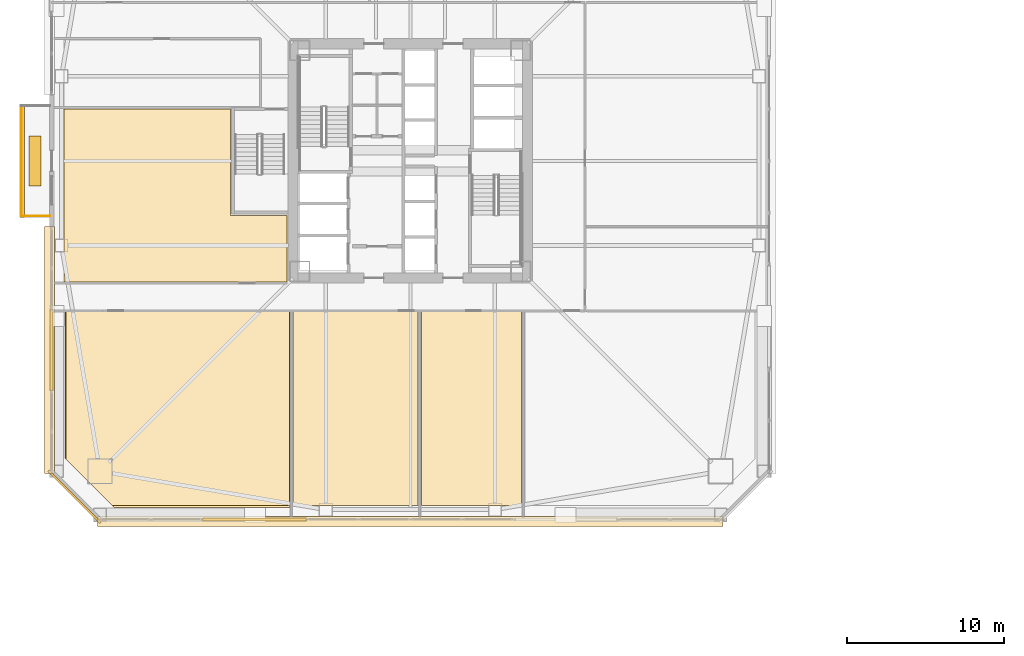
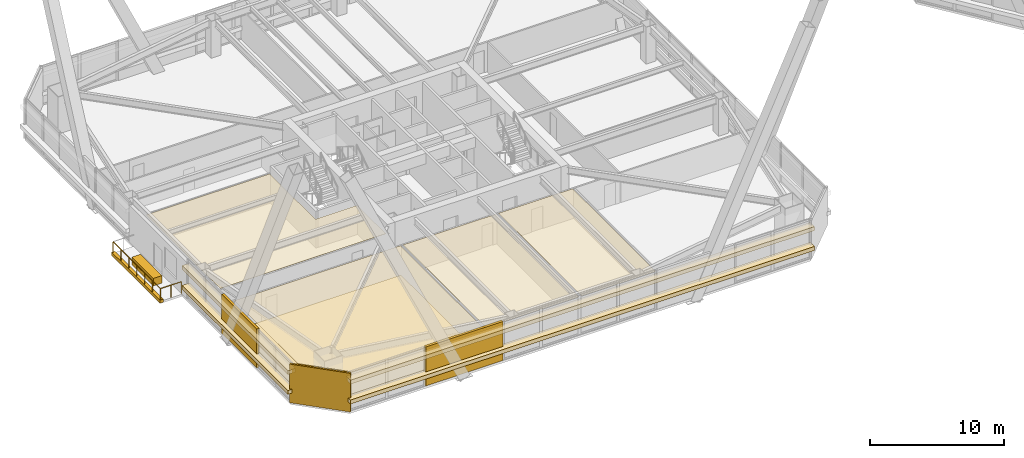
# One storey, part 67 of 75: 14 coverings, 2 railings.
"""IFC4 building model written with IfcOpenShell, lengths in metres."""

from ifc_helpers import new_model, si_unit, direction, frame, origin, origin_2d, place, context, subcontext, project, spatial, polyline, rectangle, outline, extrude, material, layer, layer_set, type_object, element, save


model = new_model("IFC4")

# Units and contexts
model_context = context("Model", 3, precision=1e-05, world=origin(), true_north=direction((0.0, 1.0)))
body_context = subcontext(model_context, "Body", "Model", "MODEL_VIEW")
ifc_project = project(units=[si_unit("LENGTHUNIT", "METRE"), si_unit("AREAUNIT", "SQUARE_METRE"), si_unit("VOLUMEUNIT", "CUBIC_METRE"), si_unit("PLANEANGLEUNIT", "RADIAN"), si_unit("MASSUNIT", "GRAM", prefix="KILO")], contexts=[model_context])

# Site, building, storey
site_placement = place(None, origin())
site = spatial("IfcSite", under=ifc_project, at=site_placement, CompositionType="ELEMENT")
building_placement = place(site_placement, origin())
building = spatial("IfcBuilding", under=site, at=building_placement, Name="Tashvorn Skyway Center", CompositionType="ELEMENT")
storey_placement = place(building_placement, frame((0.0, 0.0, 45.89990234375)))
storey = spatial("IfcBuildingStorey", under=building, at=storey_placement, Name="L11", CompositionType="ELEMENT", Elevation=45.89990234375)

# Coverings
ifc_material_1 = material(Name="Precast concrete C40/50", Category="concrete")
ifc_layer_1 = layer(ifc_material_1, 0.199951171875)
ifc_layer_set_1 = layer_set([ifc_layer_1], Name="Precast concrete C40/50")
covering_type_1 = type_object("IfcCoveringType", Name="COV-BRACE-CLAD", PredefinedType="CLADDING", material=ifc_layer_set_1)
covering_1_placement = place(storey_placement, frame((32.06005859375, 9.1201171875, 0.0), z_axis=(0.0, 0.0, 1.0), x_axis=(-1.0, 0.0, 0.0)))
element("IfcCovering", 1, at=covering_1_placement, inside=storey, type_object=covering_type_1, Name="Tower 1 L11 South Unitised Curtain Wall Mega-Brace Cladding Band 2", PredefinedType="CLADDING", context=body_context, shape_type="SweptSolid", body=[
    extrude(rectangle(XDim=6.626708984375, YDim=0.199951171875, at=origin_2d()), origin(), (0.0, 0.0, 1.0), 3.550048828125),
])
covering_2_placement = place(storey_placement, frame((19.1201171875, 19.93505859375, 0.0), z_axis=(0.0, 0.0, 1.0), x_axis=(0.0, 1.0, 0.0)))
element("IfcCovering", 2, at=covering_2_placement, inside=storey, type_object=covering_type_1, Name="Tower 1 L11 West Curtain Wall L Mega-Brace Cladding Band 1", PredefinedType="CLADDING", context=body_context, shape_type="SweptSolid", body=[
    extrude(rectangle(XDim=5.2099609375, YDim=0.199951171875, at=origin_2d()), origin(), (0.0, 0.0, 1.0), 3.550048828125),
])
ifc_material_2 = material(Name="Mineral-fibre acoustic ceiling tile on suspended grid")
ifc_layer_2 = layer(ifc_material_2, 0.02001953125)
ifc_layer_set_2 = layer_set([ifc_layer_2], Name="Mineral-fibre acoustic ceiling tile on suspended grid")
covering_type_2 = type_object("IfcCoveringType", Name="COV-CEIL-20", PredefinedType="CEILING", material=ifc_layer_set_2)
covering_3_placement = place(storey_placement, frame((0.0, 0.0, 2.68310546875)))
element("IfcCovering", 3, at=covering_3_placement, inside=storey, type_object=covering_type_2, Name="Tower 1 L11 Open Plan Office Acoustic Ceiling", PredefinedType="CEILING", context=body_context, shape_type="SweptSolid", body=[
    extrude(outline(polyline([(20.02001953125, 22.389892578125), (34.280029296875, 22.389892578125), (34.280029296875, 10.02001953125), (22.97998046875, 10.02001953125), (20.02001953125, 12.97998046875), (20.02001953125, 22.389892578125)])), origin(), (0.0, 0.0, 1.0), 0.02001953125),
])
covering_4_placement = place(storey_placement, frame((0.0, 0.0, 2.68310546875)))
element("IfcCovering", 4, at=covering_4_placement, inside=storey, type_object=covering_type_2, Name="Tower 1 L11 Boardroom Acoustic Ceiling", PredefinedType="CEILING", context=body_context, shape_type="SweptSolid", body=[
    extrude(outline(polyline([(34.52001953125, 22.389892578125), (42.47998046875, 22.389892578125), (42.47998046875, 10.02001953125), (34.52001953125, 10.02001953125), (34.52001953125, 22.389892578125)])), origin(), (0.0, 0.0, 1.0), 0.02001953125),
])
covering_5_placement = place(storey_placement, frame((0.0, 0.0, 2.68310546875)))
element("IfcCovering", 5, at=covering_5_placement, inside=storey, type_object=covering_type_2, Name="Tower 1 L11 Boardroom Acoustic Ceiling", PredefinedType="CEILING", context=body_context, shape_type="SweptSolid", body=[
    extrude(outline(polyline([(42.719970703125, 22.389892578125), (49.080078125, 22.389892578125), (49.080078125, 10.02001953125), (42.719970703125, 10.02001953125), (42.719970703125, 22.389892578125)])), origin(), (0.0, 0.0, 1.0), 0.02001953125),
])
covering_6_placement = place(storey_placement, frame((0.0, 0.0, 2.68310546875)))
element("IfcCovering", 6, at=covering_6_placement, inside=storey, type_object=covering_type_2, Name="Tower 1 L11 Public Restroom Acoustic Ceiling", PredefinedType="CEILING", context=body_context, shape_type="SweptSolid", body=[
    extrude(outline(polyline([(34.1201171875, 24.280029296875), (19.89990234375, 24.280029296875), (19.89990234375, 28.52001953125), (19.89990234375, 35.320068359375), (30.52001953125, 35.320068359375), (30.52001953125, 28.52001953125), (34.1201171875, 28.52001953125), (34.1201171875, 24.280029296875)])), origin(), (0.0, 0.0, 1.0), 0.02001953125),
])
ifc_material_3 = material(Name="Polished Mojave desert-aggregate terrazzo and cover plate")
ifc_layer_3 = layer(ifc_material_3, 0.0400390625)
ifc_layer_set_3 = layer_set([ifc_layer_3], Name="Polished Mojave desert-aggregate terrazzo and cover plate")
covering_type_3 = type_object("IfcCoveringType", Name="COV-FLR-40", PredefinedType="FLOORING", material=ifc_layer_set_3)
covering_7_placement = place(storey_placement, origin())
element("IfcCovering", 7, at=covering_7_placement, inside=storey, type_object=covering_type_3, Name="Tower 1 L11 Open Plan Office Finish Flooring", PredefinedType="FLOORING", context=body_context, shape_type="SweptSolid", body=[
    extrude(outline(polyline([(23.10009765625, 9.89990234375), (19.97998046875, 13.02001953125), (19.97998046875, 22.35009765625), (34.320068359375, 22.35009765625), (34.320068359375, 9.89990234375), (23.10009765625, 9.89990234375)])), origin(), (0.0, 0.0, 1.0), 0.0400390625),
])
ifc_material_4 = material(Name="Perforated ceramic-coated bronze aluminium solar screen", Category="aluminium")
ifc_layer_4 = layer(ifc_material_4, 0.85009765625)
ifc_layer_set_4 = layer_set([ifc_layer_4], Name="Perforated ceramic-coated bronze aluminium solar screen")
covering_type_4 = type_object("IfcCoveringType", Name="COV-SOLAR-BAND", PredefinedType="CLADDING", material=ifc_layer_set_4)
for number, where, z_axis, x_axis, name in (
    (8, (42.0, 8.97998046875, 0.919921875), (0.0, 0.0, 1.0), (-1.0, 0.0, 0.0), "L11 Perforated Ceramic-Metal Solar Screen Louvre Band South 1"),
    (9, (42.0, 8.97998046875, 2.72021484375), (0.0, 0.0, 1.0), (-1.0, 0.0, 0.0), "L11 Perforated Ceramic-Metal Solar Screen Louvre Band South 2"),
):
    element("IfcCovering", number, at=place(storey_placement, frame(where, z_axis=z_axis, x_axis=x_axis)), inside=storey, type_object=covering_type_4, Name=name, PredefinedType="CLADDING", context=body_context, shape_type="SweptSolid", body=[
        extrude(rectangle(XDim=39.8798828125, YDim=0.639892578125, at=origin_2d()), origin(), (0.0, 0.0, 1.0), 0.360107421875),
    ])
for number, where, z_axis, x_axis, name in (
    (10, (18.97998046875, 19.93505859375, 0.919921875), (0.0, 0.0, 1.0), (0.0, 1.0, 0.0), "L11 Perforated Ceramic-Metal Solar Screen Louvre Band West 1"),
    (11, (18.97998046875, 19.93505859375, 2.72021484375), (0.0, 0.0, 1.0), (0.0, 1.0, 0.0), "L11 Perforated Ceramic-Metal Solar Screen Louvre Band West 2"),
):
    element("IfcCovering", number, at=place(storey_placement, frame(where, z_axis=z_axis, x_axis=x_axis)), inside=storey, type_object=covering_type_4, Name=name, PredefinedType="CLADDING", context=body_context, shape_type="SweptSolid", body=[
        extrude(rectangle(XDim=15.75, YDim=0.639892578125, at=origin_2d()), origin(), (0.0, 0.0, 1.0), 0.360107421875),
    ])
ifc_layer_5 = layer(ifc_material_1, 0.35009765625)
ifc_layer_set_5 = layer_set([ifc_layer_5], Name="Precast concrete C40/50")
covering_type_5 = type_object("IfcCoveringType", Name="COV-STONE-TRIM", PredefinedType="CLADDING", material=ifc_layer_set_5)
covering_8_placement = place(storey_placement, frame((17.239990234375, 32.0, -0.16015625), z_axis=(0.0, 0.0, 1.0), x_axis=(0.0, 1.0, 0.0)))
element("IfcCovering", 12, at=covering_8_placement, inside=storey, type_object=covering_type_5, Name="Tower 1 L11 Spiral Terrace Terracotta Fascia", PredefinedType="CLADDING", context=body_context, shape_type="SweptSolid", body=[
    extrude(rectangle(XDim=7.199951171875, YDim=0.280029296875, at=origin_2d()), origin(), (0.0, 0.0, 1.0), 0.280029296875),
])
covering_9_placement = place(storey_placement, frame((18.050048828125, 32.0, 0.0), z_axis=(0.0, 0.0, 1.0), x_axis=(0.0, 1.0, 0.0)))
element("IfcCovering", 13, at=covering_9_placement, inside=storey, type_object=covering_type_5, Name="Tower 1 L11 Spiral Terrace Planter", PredefinedType="CLADDING", context=body_context, shape_type="SweptSolid", body=[
    extrude(rectangle(XDim=3.199951171875, YDim=0.75, at=origin_2d()), origin(), (0.0, 0.0, 1.0), 0.679931640625),
])
covering_10_placement = place(storey_placement, frame((20.580078125, 10.580078125, 0.02001953125), z_axis=(0.0, 0.0, 1.0), x_axis=(-0.707106781187, 0.707106781187, 0.0)))
element("IfcCovering", 14, at=covering_10_placement, inside=storey, type_object=covering_type_5, Name="Tower 1 L11 SW Mojave Limestone Corner Quoin", PredefinedType="CLADDING", context=body_context, shape_type="SweptSolid", body=[
    extrude(rectangle(XDim=4.685546875, YDim=0.139892578125, at=origin_2d()), origin(), (0.0, 0.0, 1.0), 3.510009765625),
])

# Railings
ifc_material_5 = material(Name="Galvanized steel S355", Category="steel")
railing_type = type_object("IfcRailingType", Name="RAIL-GUARD-1120", PredefinedType="GUARDRAIL", material=ifc_material_5)
railing_1_placement = place(storey_placement, frame((19.0, 28.47998046875, 0.0)))
element("IfcRailing", 15, at=railing_1_placement, inside=storey, type_object=railing_type, Name="L11 Tower 1 Terrace Guardrail 01", PredefinedType="GUARDRAIL", context=body_context, shape_type="SweptSolid", body=[
    extrude(rectangle(XDim=0.048095703125, YDim=0.048095703125, at=origin_2d()), frame((0.0, 0.0, 1.09619140625), z_axis=(-1.0, 0.0, 0.0), x_axis=(0.0, -1.0, 0.0)), (0.0, 0.0, 1.0), 1.820068359375),
    extrude(rectangle(XDim=0.0419921875, YDim=0.0419921875, at=origin_2d()), origin(), (0.0, 0.0, 1.0), 1.072021484375),
    extrude(rectangle(XDim=0.0419921875, YDim=0.0419921875, at=origin_2d()), frame((-0.91015625, 0.0, 0.0)), (0.0, 0.0, 1.0), 1.072021484375),
    extrude(rectangle(XDim=0.0419921875, YDim=0.0419921875, at=origin_2d()), frame((-1.820068359375, 0.0, 0.0)), (0.0, 0.0, 1.0), 1.072021484375),
])
railing_2_placement = place(storey_placement, frame((17.179931640625, 28.47998046875, 0.0)))
element("IfcRailing", 16, at=railing_2_placement, inside=storey, type_object=railing_type, Name="L11 Tower 1 Terrace Guardrail 02", PredefinedType="GUARDRAIL", context=body_context, shape_type="SweptSolid", body=[
    extrude(rectangle(XDim=0.048095703125, YDim=0.048095703125, at=origin_2d()), frame((0.0, 0.0, 1.09619140625), z_axis=(0.0, 1.0, 0.0), x_axis=(-1.0, 0.0, 0.0)), (0.0, 0.0, 1.0), 7.0400390625),
    extrude(rectangle(XDim=0.0419921875, YDim=0.0419921875, at=origin_2d()), origin(), (0.0, 0.0, 1.0), 1.072021484375),
    extrude(rectangle(XDim=0.0419921875, YDim=0.0419921875, at=origin_2d()), frame((0.0, 1.17333984375, 0.0)), (0.0, 0.0, 1.0), 1.072021484375),
    extrude(rectangle(XDim=0.0419921875, YDim=0.0419921875, at=origin_2d()), frame((0.0, 2.3466796875, 0.0)), (0.0, 0.0, 1.0), 1.072021484375),
    extrude(rectangle(XDim=0.0419921875, YDim=0.0419921875, at=origin_2d()), frame((0.0, 3.52001953125, 0.0)), (0.0, 0.0, 1.0), 1.072021484375),
    extrude(rectangle(XDim=0.0419921875, YDim=0.0419921875, at=origin_2d()), frame((0.0, 4.693359375, 0.0)), (0.0, 0.0, 1.0), 1.072021484375),
    extrude(rectangle(XDim=0.0419921875, YDim=0.0419921875, at=origin_2d()), frame((0.0, 5.86669921875, 0.0)), (0.0, 0.0, 1.0), 1.072021484375),
    extrude(rectangle(XDim=0.0419921875, YDim=0.0419921875, at=origin_2d()), frame((0.0, 7.0400390625, 0.0)), (0.0, 0.0, 1.0), 1.072021484375),
])

save(model, "model.ifc")
